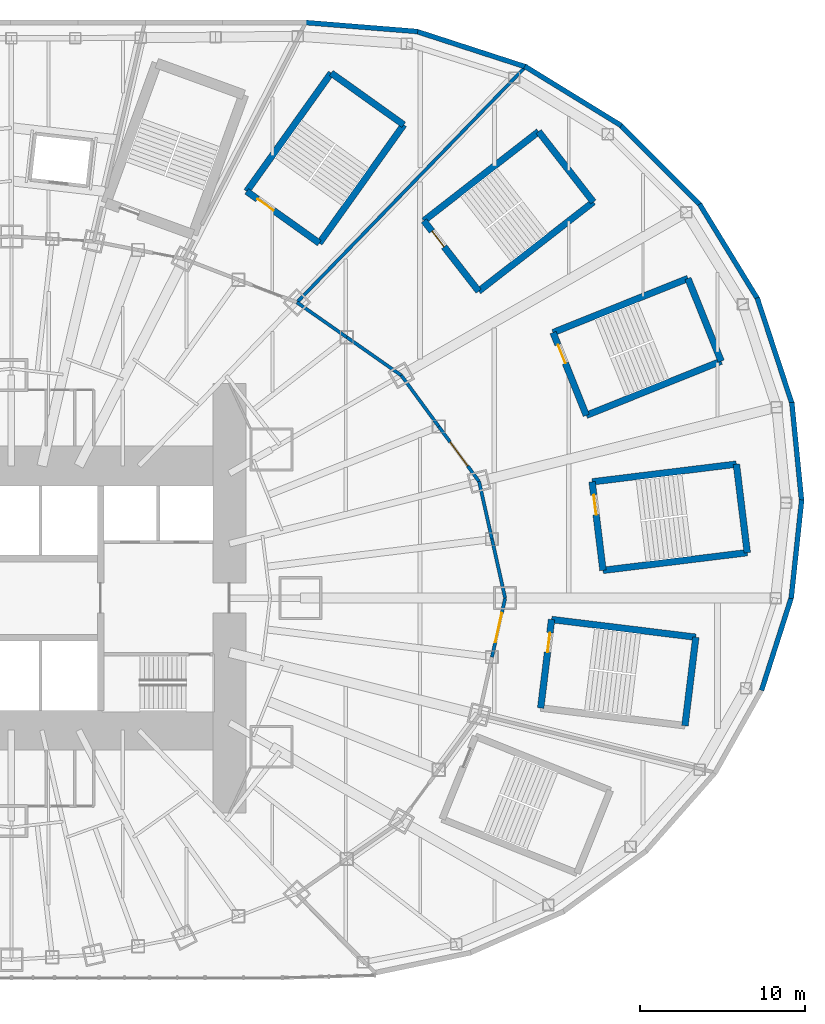
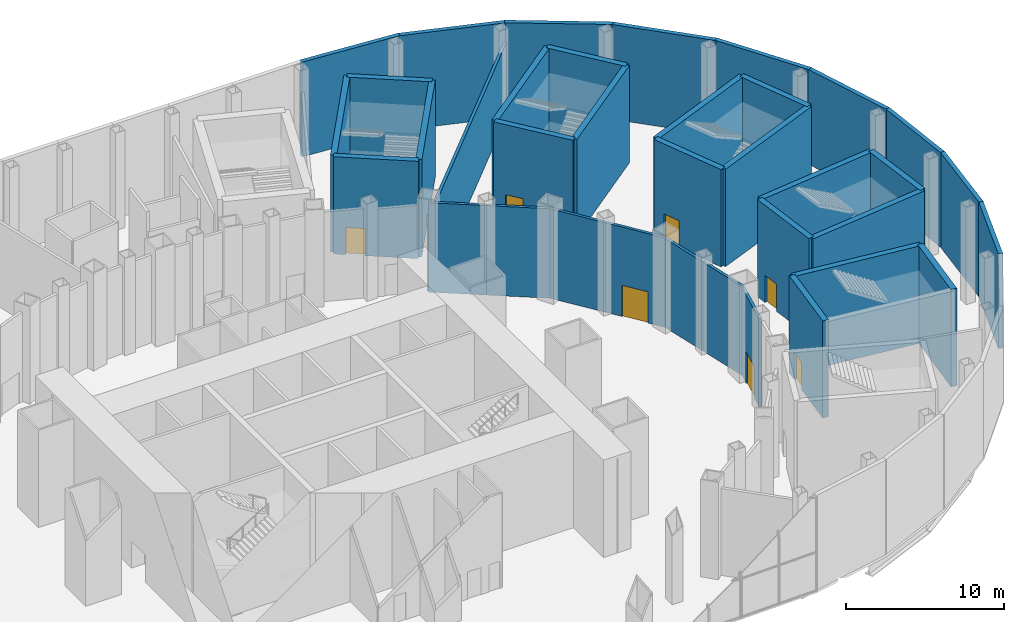
# One storey, part 17 of 73: 36 walls, 7 doors, 7 openings.
"""IFC4 building model written with IfcOpenShell, lengths in metres."""

from ifc_helpers import new_model, si_unit, direction, frame, frame_2d, origin, place, context, subcontext, project, spatial, rectangle, extrude, material, layer, layer_set, type_object, element, fill, save


model = new_model("IFC4")

# Units and contexts
model_context = context("Model", 3, precision=1e-05, world=origin(), true_north=direction((0.0, 1.0)))
body_context = subcontext(model_context, "Body", "Model", "MODEL_VIEW")
ifc_project = project(units=[si_unit("LENGTHUNIT", "METRE"), si_unit("AREAUNIT", "SQUARE_METRE"), si_unit("VOLUMEUNIT", "CUBIC_METRE"), si_unit("PLANEANGLEUNIT", "RADIAN"), si_unit("MASSUNIT", "GRAM", prefix="KILO")], contexts=[model_context])

# Site, building, storey
site_placement = place(None, origin())
site = spatial("IfcSite", under=ifc_project, at=site_placement, CompositionType="ELEMENT")
building_placement = place(site_placement, origin())
building = spatial("IfcBuilding", under=site, at=building_placement, Name="Lantaw Convention Tower", CompositionType="ELEMENT")
storey_placement = place(building_placement, frame((0.0, 0.0, 14.5)))
storey = spatial("IfcBuildingStorey", under=building, at=storey_placement, Name="L02", CompositionType="ELEMENT", Elevation=14.5)

# Walls
ifc_material_1 = material(Name="Precast concrete panel, pale aluminium rainscreen", Category="concrete")
ifc_layer_1 = layer(ifc_material_1, 0.300048828125)
ifc_layer_set_1 = layer_set([ifc_layer_1], Name="Podium external wall 300")
wall_type_1 = type_object("IfcWallType", Name="Podium external wall 300", PredefinedType="SOLIDWALL", material=ifc_layer_set_1)
wall_1_placement = place(storey_placement, frame((47.21923828125, -0.02392578125, 0.0), z_axis=(0.0, 0.0, 1.0), x_axis=(0.105835648981, 0.99438363593, 0.0)))
element("IfcWall", 1, at=wall_1_placement, inside=storey, type_object=wall_type_1, Name="Podium facade wall", PredefinedType="SOLIDWALL", context=body_context, shape_type="SweptSolid", body=[
    extrude(rectangle(XDim=6.0068359375, YDim=0.300048828125, at=frame_2d((3.00341796875, 0.0))), origin(), (0.0, 0.0, 1.0), 7.300048828125),
])
wall_2_placement = place(storey_placement, frame((47.8544921875, 5.8388671875, 0.0), z_axis=(0.0, 0.0, 1.0), x_axis=(-0.099051198898, 0.9950823383, 0.0)))
element("IfcWall", 2, at=wall_2_placement, inside=storey, type_object=wall_type_1, Name="Podium facade wall", PredefinedType="SOLIDWALL", context=body_context, shape_type="SweptSolid", body=[
    extrude(rectangle(XDim=6.036376953125, YDim=0.300048828125, at=frame_2d((3.01806640625, 0.0))), origin(), (0.0, 0.0, 1.0), 7.300048828125),
])
wall_3_placement = place(storey_placement, frame((47.27978515625, 11.735595703125, 0.0), z_axis=(0.0, 0.0, 1.0), x_axis=(-0.31263149373, 0.94987449125, 0.0)))
element("IfcWall", 3, at=wall_3_placement, inside=storey, type_object=wall_type_1, Name="Podium facade wall", PredefinedType="SOLIDWALL", context=body_context, shape_type="SweptSolid", body=[
    extrude(rectangle(XDim=6.7861328125, YDim=0.300048828125, at=frame_2d((3.39306640625, 0.0))), origin(), (0.0, 0.0, 1.0), 7.300048828125),
])
wall_4_placement = place(storey_placement, frame((45.206298828125, 18.078125, 0.0), z_axis=(0.0, 0.0, 1.0), x_axis=(-0.52225340952, 0.852790347181, 0.0)))
element("IfcWall", 4, at=wall_4_placement, inside=storey, type_object=wall_type_1, Name="Podium facade wall", PredefinedType="SOLIDWALL", context=body_context, shape_type="SweptSolid", body=[
    extrude(rectangle(XDim=6.77099609375, YDim=0.300048828125, at=frame_2d((3.385498046875, 0.0))), origin(), (0.0, 0.0, 1.0), 7.300048828125),
])
wall_5_placement = place(storey_placement, frame((41.740966796875, 23.762451171875, 0.0), z_axis=(0.0, 0.0, 1.0), x_axis=(-0.705874614645, 0.708336804352, 0.0)))
element("IfcWall", 5, at=wall_5_placement, inside=storey, type_object=wall_type_1, Name="Podium facade wall", PredefinedType="SOLIDWALL", context=body_context, shape_type="SweptSolid", body=[
    extrude(rectangle(XDim=6.94091796875, YDim=0.300048828125, at=frame_2d((3.470458984375, 0.0))), origin(), (0.0, 0.0, 1.0), 7.300048828125),
])
wall_6_placement = place(storey_placement, frame((36.931640625, 28.60791015625, 0.0), z_axis=(0.0, 0.0, 1.0), x_axis=(-0.851808565246, 0.52385319334, 0.0)))
element("IfcWall", 6, at=wall_6_placement, inside=storey, type_object=wall_type_1, Name="Podium facade wall", PredefinedType="SOLIDWALL", context=body_context, shape_type="SweptSolid", body=[
    extrude(rectangle(XDim=6.860595703125, YDim=0.300048828125, at=frame_2d((3.43017578125, 0.0))), origin(), (0.0, 0.0, 1.0), 7.300048828125),
])
wall_7_placement = place(storey_placement, frame((31.19189453125, 32.15380859375, 0.0), z_axis=(0.0, 0.0, 1.0), x_axis=(-0.951140010357, 0.308759907853, 0.0)))
element("IfcWall", 7, at=wall_7_placement, inside=storey, type_object=wall_type_1, Name="Podium facade wall", PredefinedType="SOLIDWALL", context=body_context, shape_type="SweptSolid", body=[
    extrude(rectangle(XDim=7.041259765625, YDim=0.300048828125, at=frame_2d((3.5205078125, 0.0))), origin(), (0.0, 0.0, 1.0), 7.300048828125),
])
wall_8_placement = place(storey_placement, frame((24.606689453125, 34.3056640625, 0.0), z_axis=(0.0, 0.0, 1.0), x_axis=(-0.996791084449, 0.080047073422, 0.0)))
element("IfcWall", 8, at=wall_8_placement, inside=storey, type_object=wall_type_1, Name="Podium facade wall", PredefinedType="SOLIDWALL", context=body_context, shape_type="SweptSolid", body=[
    extrude(rectangle(XDim=6.84716796875, YDim=0.300048828125, at=frame_2d((3.423583984375, 0.0))), origin(), (0.0, 0.0, 1.0), 7.300048828125),
])
wall_9_placement = place(storey_placement, frame((45.42529296875, -5.5888671875, 0.0), z_axis=(0.0, 0.0, 1.0), x_axis=(0.304991367091, 0.95235511549, 0.0)))
element("IfcWall", 9, at=wall_9_placement, inside=storey, type_object=wall_type_1, Name="Podium facade wall", PredefinedType="SOLIDWALL", context=body_context, shape_type="SweptSolid", body=[
    extrude(rectangle(XDim=5.956298828125, YDim=0.300048828125, at=frame_2d((2.97802734375, 0.0))), origin(), (0.0, 0.0, 1.0), 7.300048828125),
])
ifc_material_2 = material(Name="Concrete blockwork", Category="masonry")
ifc_layer_2 = layer(ifc_material_2, 0.199951171875)
ifc_layer_set_2 = layer_set([ifc_layer_2], Name="Podium partition 200")
wall_type_2 = type_object("IfcWallType", Name="Podium partition 200", PredefinedType="SOLIDWALL", material=ifc_layer_set_2)
wall_10_placement = place(storey_placement, frame((29.89990234375, 0.0, 0.0), z_axis=(0.0, 0.0, 1.0), x_axis=(-0.218631550323, 0.975807483679, 0.0)))
element("IfcWall", 10, at=wall_10_placement, inside=storey, type_object=wall_type_2, Name="Podium partition 200", PredefinedType="SOLIDWALL", context=body_context, shape_type="SweptSolid", body=[
    extrude(rectangle(XDim=3.66162109375, YDim=0.199951171875, at=frame_2d((1.830810546875, 0.0))), origin(), (0.0, 0.0, 1.0), 6.850341796875),
])
wall_11_placement = place(storey_placement, frame((29.099365234375, 3.572998046875, 0.0), z_axis=(0.0, 0.0, 1.0), x_axis=(-0.218673326171, 0.97579812278, 0.0)))
element("IfcWall", 11, at=wall_11_placement, inside=storey, type_object=wall_type_2, Name="Podium partition 200", PredefinedType="SOLIDWALL", context=body_context, shape_type="SweptSolid", body=[
    extrude(rectangle(XDim=3.57373046875, YDim=0.199951171875, at=frame_2d((1.786865234375, 0.0))), origin(), (0.0, 0.0, 1.0), 6.850341796875),
])

# Wall, opening, door
wall_12_placement = place(storey_placement, frame((28.31787109375, 7.060302734375, 0.0), z_axis=(0.0, 0.0, 1.0), x_axis=(-0.591255937291, 0.806483984105, 0.0)))
wall_12 = element("IfcWall", 12, at=wall_12_placement, inside=storey, type_object=wall_type_2, Name="Podium partition 200", PredefinedType="SOLIDWALL", context=body_context, shape_type="SweptSolid", body=[
    extrude(rectangle(XDim=4.126708984375, YDim=0.199951171875, at=frame_2d((2.0634765625, 0.0))), origin(), (0.0, 0.0, 1.0), 6.896240234375),
])
opening_1_placement = place(wall_12_placement, frame((1.163330078125, 0.0, 0.0)))
opening_1 = element("IfcOpeningElement", 13, at=opening_1_placement, cuts=wall_12, Name="Opening L02.12", PredefinedType="OPENING", context=body_context, shape_type="SweptSolid", body=[
    extrude(rectangle(XDim=1.800048828125, YDim=2.39990234375, at=frame_2d((0.89990234375, 1.199951171875))), frame((0.0, 0.10986328125, 0.0), z_axis=(0.0, -1.0, 0.0), x_axis=(1.0, 0.0, 0.0)), (0.0, 0.0, 1.0), 0.219970703125),
])
ifc_material_3 = material(Name="Timber", Category="wood")
door_type_1 = type_object("IfcDoorType", Name="Hall double door 1800", OperationType="DOUBLE_DOOR_DOUBLE_SWING", PredefinedType="DOOR", material=ifc_material_3)
door_1_placement = place(opening_1_placement, origin())
door_1 = element("IfcDoor", 14, at=door_1_placement, inside=storey, type_object=door_type_1, Name="Grand ballroom door", OperationType="DOUBLE_DOOR_DOUBLE_SWING", OverallHeight=2.39990234375, OverallWidth=1.800048828125, PredefinedType="DOOR", context=body_context, shape_type="SweptSolid", body=[
    extrude(rectangle(XDim=1.800048828125, YDim=2.39990234375, at=frame_2d((0.89990234375, 1.199951171875))), frame((0.0, 0.02490234375, 0.0), z_axis=(0.0, -1.0, 0.0), x_axis=(1.0, 0.0, 0.0)), (0.0, 0.0, 1.0), 0.050048828125),
])
fill(opening_1, door_1)

# Walls
wall_13_placement = place(storey_placement, frame((25.8779296875, 10.388427734375, 0.0), z_axis=(0.0, 0.0, 1.0), x_axis=(-0.591286566758, 0.806461527893, 0.0)))
element("IfcWall", 15, at=wall_13_placement, inside=storey, type_object=wall_type_2, Name="Podium partition 200", PredefinedType="SOLIDWALL", context=body_context, shape_type="SweptSolid", body=[
    extrude(rectangle(XDim=3.843994140625, YDim=0.199951171875, at=frame_2d((1.921875, 0.0))), origin(), (0.0, 0.0, 1.0), 6.896240234375),
])
wall_14_placement = place(storey_placement, frame((23.60498046875, 13.488525390625, 0.0), z_axis=(0.0, 0.0, 1.0), x_axis=(-0.819442856133, 0.573160889744, 0.0)))
element("IfcWall", 16, at=wall_14_placement, inside=storey, type_object=wall_type_2, Name="Podium partition 200", PredefinedType="SOLIDWALL", context=body_context, shape_type="SweptSolid", body=[
    extrude(rectangle(XDim=4.022705078125, YDim=0.199951171875, at=frame_2d((2.01123046875, 0.0))), origin(), (0.0, 0.0, 1.0), 6.896240234375),
])
wall_15_placement = place(storey_placement, frame((20.30859375, 15.794189453125, 0.0), z_axis=(0.0, 0.0, 1.0), x_axis=(-0.819409395821, 0.573208724672, 0.0)))
element("IfcWall", 17, at=wall_15_placement, inside=storey, type_object=wall_type_2, Name="Podium partition 200", PredefinedType="SOLIDWALL", context=body_context, shape_type="SweptSolid", body=[
    extrude(rectangle(XDim=3.682861328125, YDim=0.199951171875, at=frame_2d((1.84130859375, 0.0))), origin(), (0.0, 0.0, 1.0), 6.896240234375),
])

# Wall, opening, door
wall_16_placement = place(storey_placement, frame((29.099365234375, -3.572998046875, 0.0), z_axis=(0.0, 0.0, 1.0), x_axis=(0.218631550323, 0.975807483679, 0.0)))
wall_16 = element("IfcWall", 18, at=wall_16_placement, inside=storey, type_object=wall_type_2, Name="Podium partition 200", PredefinedType="SOLIDWALL", context=body_context, shape_type="SweptSolid", body=[
    extrude(rectangle(XDim=3.66162109375, YDim=0.199951171875, at=frame_2d((1.830810546875, 0.0))), origin(), (0.0, 0.0, 1.0), 6.771728515625),
])
opening_2_placement = place(wall_16_placement, frame((0.930908203125, 0.0, 0.0)))
opening_2 = element("IfcOpeningElement", 19, at=opening_2_placement, cuts=wall_16, Name="Opening L02.13", PredefinedType="OPENING", context=body_context, shape_type="SweptSolid", body=[
    extrude(rectangle(XDim=1.800048828125, YDim=2.39990234375, at=frame_2d((0.89990234375, 1.199951171875))), frame((0.0, 0.10986328125, 0.0), z_axis=(0.0, -1.0, 0.0), x_axis=(1.0, 0.0, 0.0)), (0.0, 0.0, 1.0), 0.219970703125),
])
door_2_placement = place(opening_2_placement, origin())
door_2 = element("IfcDoor", 20, at=door_2_placement, inside=storey, type_object=door_type_1, Name="Grand ballroom door", OperationType="DOUBLE_DOOR_DOUBLE_SWING", OverallHeight=2.39990234375, OverallWidth=1.800048828125, PredefinedType="DOOR", context=body_context, shape_type="SweptSolid", body=[
    extrude(rectangle(XDim=1.800048828125, YDim=2.39990234375, at=frame_2d((0.89990234375, 1.199951171875))), frame((0.0, 0.02490234375, 0.0), z_axis=(0.0, -1.0, 0.0), x_axis=(1.0, 0.0, 0.0)), (0.0, 0.0, 1.0), 0.050048828125),
])
fill(opening_2, door_2)

# Walls
wall_17_placement = place(storey_placement, frame((17.290771484375, 17.9052734375, 0.0), z_axis=(0.0, 0.0, 1.0), x_axis=(0.696460684513, 0.717594951855, 0.0)))
element("IfcWall", 21, at=wall_17_placement, inside=storey, type_object=wall_type_2, Name="Podium partition 200", PredefinedType="SOLIDWALL", context=body_context, shape_type="SweptSolid", body=[
    extrude(rectangle(XDim=19.880859375, YDim=0.199951171875, at=frame_2d((9.9404296875, 0.0))), origin(), (0.0, 0.0, 1.0), 5.800048828125),
])
ifc_material_4 = material(Name="Concrete C40/50, stair core", Category="concrete")
ifc_layer_3 = layer(ifc_material_4, 0.39990234375)
ifc_layer_set_3 = layer_set([ifc_layer_3], Name="Stair enclosure wall 400 EI 120")
wall_type_3 = type_object("IfcWallType", Name="Stair enclosure wall 400 EI 120", PredefinedType="SHEAR", material=ifc_layer_set_3)
wall_18_placement = place(storey_placement, frame((35.82275390625, 1.67822265625, 0.0), z_axis=(0.0, 0.0, 1.0), x_axis=(0.992545280606, 0.121876437212, 0.0)))
element("IfcWall", 22, at=wall_18_placement, inside=storey, type_object=wall_type_3, Name="Stair enclosure wall", PredefinedType="SHEAR", context=body_context, shape_type="SweptSolid", body=[
    extrude(rectangle(XDim=8.800048828125, YDim=0.39990234375, at=frame_2d((4.39990234375, 0.0))), origin(), (0.0, 0.0, 1.0), 7.5),
])
wall_19_placement = place(storey_placement, frame((44.55712890625, 2.750732421875, 0.0), z_axis=(0.0, 0.0, 1.0), x_axis=(-0.12184754212, 0.99254882826, 0.0)))
element("IfcWall", 23, at=wall_19_placement, inside=storey, type_object=wall_type_3, Name="Stair enclosure wall", PredefinedType="SHEAR", context=body_context, shape_type="SweptSolid", body=[
    extrude(rectangle(XDim=5.39990234375, YDim=0.39990234375, at=frame_2d((2.699951171875, 0.0))), origin(), (0.0, 0.0, 1.0), 7.5),
])
wall_20_placement = place(storey_placement, frame((43.899169921875, 8.1103515625, 0.0), z_axis=(0.0, 0.0, 1.0), x_axis=(-0.992545280606, -0.121876437212, 0.0)))
element("IfcWall", 24, at=wall_20_placement, inside=storey, type_object=wall_type_3, Name="Stair enclosure wall", PredefinedType="SHEAR", context=body_context, shape_type="SweptSolid", body=[
    extrude(rectangle(XDim=8.800048828125, YDim=0.39990234375, at=frame_2d((4.39990234375, 0.0))), origin(), (0.0, 0.0, 1.0), 7.5),
])

# Wall, opening, door
wall_21_placement = place(storey_placement, frame((35.164794921875, 7.037841796875, 0.0), z_axis=(0.0, 0.0, 1.0), x_axis=(0.12184754212, -0.99254882826, 0.0)))
wall_21 = element("IfcWall", 25, at=wall_21_placement, inside=storey, type_object=wall_type_3, Name="Stair enclosure wall", PredefinedType="SHEAR", context=body_context, shape_type="SweptSolid", body=[
    extrude(rectangle(XDim=5.39990234375, YDim=0.39990234375, at=frame_2d((2.699951171875, 0.0))), origin(), (0.0, 0.0, 1.0), 7.5),
])
opening_3_placement = place(wall_21_placement, frame((0.800048828125, 0.0, 0.0)))
opening_3 = element("IfcOpeningElement", 26, at=opening_3_placement, cuts=wall_21, Name="Opening L02.P1", PredefinedType="OPENING", context=body_context, shape_type="SweptSolid", body=[
    extrude(rectangle(XDim=1.199951171875, YDim=2.10009765625, at=frame_2d((0.60009765625, 1.050048828125))), frame((0.0, 0.2099609375, 0.0), z_axis=(0.0, -1.0, 0.0), x_axis=(1.0, 0.0, 0.0)), (0.0, 0.0, 1.0), 0.419921875),
])
ifc_material_5 = material(Name="Steel, fire rated", Category="steel")
door_type_2 = type_object("IfcDoorType", Name="Stair door FD90", OperationType="SINGLE_SWING_RIGHT", PredefinedType="DOOR", material=ifc_material_5)
door_3_placement = place(opening_3_placement, origin())
door_3 = element("IfcDoor", 27, at=door_3_placement, inside=storey, type_object=door_type_2, Name="Exit stair door", OperationType="SINGLE_SWING_RIGHT", OverallHeight=2.10009765625, OverallWidth=1.199951171875, PredefinedType="DOOR", context=body_context, shape_type="SweptSolid", body=[
    extrude(rectangle(XDim=1.199951171875, YDim=2.10009765625, at=frame_2d((0.60009765625, 1.050048828125))), frame((0.0, 0.02490234375, 0.0), z_axis=(0.0, -1.0, 0.0), x_axis=(1.0, 0.0, 0.0)), (0.0, 0.0, 1.0), 0.050048828125),
])
fill(opening_3, door_3)

# Walls
wall_22_placement = place(storey_placement, frame((34.811767578125, 11.0654296875, 0.0), z_axis=(0.0, 0.0, 1.0), x_axis=(0.92801678004, 0.372538395288, 0.0)))
element("IfcWall", 28, at=wall_22_placement, inside=storey, type_object=wall_type_3, Name="Stair enclosure wall", PredefinedType="SHEAR", context=body_context, shape_type="SweptSolid", body=[
    extrude(rectangle(XDim=8.800048828125, YDim=0.39990234375, at=frame_2d((4.39990234375, 0.0))), origin(), (0.0, 0.0, 1.0), 7.5),
])
wall_23_placement = place(storey_placement, frame((42.978271484375, 14.34375, 0.0), z_axis=(0.0, 0.0, 1.0), x_axis=(-0.372544066459, 0.928014503414, 0.0)))
element("IfcWall", 29, at=wall_23_placement, inside=storey, type_object=wall_type_3, Name="Stair enclosure wall", PredefinedType="SHEAR", context=body_context, shape_type="SweptSolid", body=[
    extrude(rectangle(XDim=5.39990234375, YDim=0.39990234375, at=frame_2d((2.699951171875, 0.0))), origin(), (0.0, 0.0, 1.0), 7.5),
])
wall_24_placement = place(storey_placement, frame((40.966552734375, 19.35498046875, 0.0), z_axis=(0.0, 0.0, 1.0), x_axis=(-0.92801678004, -0.372538395288, 0.0)))
element("IfcWall", 30, at=wall_24_placement, inside=storey, type_object=wall_type_3, Name="Stair enclosure wall", PredefinedType="SHEAR", context=body_context, shape_type="SweptSolid", body=[
    extrude(rectangle(XDim=8.800048828125, YDim=0.39990234375, at=frame_2d((4.39990234375, 0.0))), origin(), (0.0, 0.0, 1.0), 7.5),
])

# Wall, opening, door
wall_25_placement = place(storey_placement, frame((32.800048828125, 16.07666015625, 0.0), z_axis=(0.0, 0.0, 1.0), x_axis=(0.372544066459, -0.928014503414, 0.0)))
wall_25 = element("IfcWall", 31, at=wall_25_placement, inside=storey, type_object=wall_type_3, Name="Stair enclosure wall", PredefinedType="SHEAR", context=body_context, shape_type="SweptSolid", body=[
    extrude(rectangle(XDim=5.39990234375, YDim=0.39990234375, at=frame_2d((2.699951171875, 0.0))), origin(), (0.0, 0.0, 1.0), 7.5),
])
opening_4_placement = place(wall_25_placement, frame((0.800048828125, 0.0, 0.0)))
opening_4 = element("IfcOpeningElement", 32, at=opening_4_placement, cuts=wall_25, Name="Opening L02.P2", PredefinedType="OPENING", context=body_context, shape_type="SweptSolid", body=[
    extrude(rectangle(XDim=1.199951171875, YDim=2.10009765625, at=frame_2d((0.60009765625, 1.050048828125))), frame((0.0, 0.2099609375, 0.0), z_axis=(0.0, -1.0, 0.0), x_axis=(1.0, 0.0, 0.0)), (0.0, 0.0, 1.0), 0.419921875),
])
door_4_placement = place(opening_4_placement, origin())
door_4 = element("IfcDoor", 33, at=door_4_placement, inside=storey, type_object=door_type_2, Name="Exit stair door", OperationType="SINGLE_SWING_RIGHT", OverallHeight=2.10009765625, OverallWidth=1.199951171875, PredefinedType="DOOR", context=body_context, shape_type="SweptSolid", body=[
    extrude(rectangle(XDim=1.199951171875, YDim=2.10009765625, at=frame_2d((0.60009765625, 1.050048828125))), frame((0.0, 0.02490234375, 0.0), z_axis=(0.0, -1.0, 0.0), x_axis=(1.0, 0.0, 0.0)), (0.0, 0.0, 1.0), 0.050048828125),
])
fill(opening_4, door_4)

# Walls
wall_26_placement = place(storey_placement, frame((28.292724609375, 18.5830078125, 0.0), z_axis=(0.0, 0.0, 1.0), x_axis=(0.78938060008, 0.613904119726, 0.0)))
element("IfcWall", 34, at=wall_26_placement, inside=storey, type_object=wall_type_3, Name="Stair enclosure wall", PredefinedType="SHEAR", context=body_context, shape_type="SweptSolid", body=[
    extrude(rectangle(XDim=8.800048828125, YDim=0.39990234375, at=frame_2d((4.39990234375, 0.0))), origin(), (0.0, 0.0, 1.0), 7.5),
])
wall_27_placement = place(storey_placement, frame((35.2392578125, 23.9853515625, 0.0), z_axis=(0.0, 0.0, 1.0), x_axis=(-0.613912443548, 0.789374126544, 0.0)))
element("IfcWall", 35, at=wall_27_placement, inside=storey, type_object=wall_type_3, Name="Stair enclosure wall", PredefinedType="SHEAR", context=body_context, shape_type="SweptSolid", body=[
    extrude(rectangle(XDim=5.400146484375, YDim=0.39990234375, at=frame_2d((2.7001953125, 0.0))), origin(), (0.0, 0.0, 1.0), 7.5),
])
wall_28_placement = place(storey_placement, frame((31.924072265625, 28.248046875, 0.0), z_axis=(0.0, 0.0, 1.0), x_axis=(-0.78938060008, -0.613904119726, 0.0)))
element("IfcWall", 36, at=wall_28_placement, inside=storey, type_object=wall_type_3, Name="Stair enclosure wall", PredefinedType="SHEAR", context=body_context, shape_type="SweptSolid", body=[
    extrude(rectangle(XDim=8.800048828125, YDim=0.39990234375, at=frame_2d((4.39990234375, 0.0))), origin(), (0.0, 0.0, 1.0), 7.5),
])

# Wall, opening, door
wall_29_placement = place(storey_placement, frame((24.9775390625, 22.845703125, 0.0), z_axis=(0.0, 0.0, 1.0), x_axis=(0.613912443548, -0.789374126544, 0.0)))
wall_29 = element("IfcWall", 37, at=wall_29_placement, inside=storey, type_object=wall_type_3, Name="Stair enclosure wall", PredefinedType="SHEAR", context=body_context, shape_type="SweptSolid", body=[
    extrude(rectangle(XDim=5.400146484375, YDim=0.39990234375, at=frame_2d((2.7001953125, 0.0))), origin(), (0.0, 0.0, 1.0), 7.5),
])
opening_5_placement = place(wall_29_placement, frame((0.800048828125, 0.0, 0.0)))
opening_5 = element("IfcOpeningElement", 38, at=opening_5_placement, cuts=wall_29, Name="Opening L02.P3", PredefinedType="OPENING", context=body_context, shape_type="SweptSolid", body=[
    extrude(rectangle(XDim=1.199951171875, YDim=2.10009765625, at=frame_2d((0.60009765625, 1.050048828125))), frame((0.0, 0.2099609375, 0.0), z_axis=(0.0, -1.0, 0.0), x_axis=(1.0, 0.0, 0.0)), (0.0, 0.0, 1.0), 0.419921875),
])
door_5_placement = place(opening_5_placement, origin())
door_5 = element("IfcDoor", 39, at=door_5_placement, inside=storey, type_object=door_type_2, Name="Exit stair door", OperationType="SINGLE_SWING_RIGHT", OverallHeight=2.10009765625, OverallWidth=1.199951171875, PredefinedType="DOOR", context=body_context, shape_type="SweptSolid", body=[
    extrude(rectangle(XDim=1.199951171875, YDim=2.10009765625, at=frame_2d((0.60009765625, 1.050048828125))), frame((0.0, 0.02490234375, 0.0), z_axis=(0.0, -1.0, 0.0), x_axis=(1.0, 0.0, 0.0)), (0.0, 0.0, 1.0), 0.050048828125),
])
fill(opening_5, door_5)

# Walls
wall_30_placement = place(storey_placement, frame((18.647216796875, 21.492919921875, 0.0), z_axis=(0.0, 0.0, 1.0), x_axis=(0.580705313356, 0.814113836659, 0.0)))
element("IfcWall", 40, at=wall_30_placement, inside=storey, type_object=wall_type_3, Name="Stair enclosure wall", PredefinedType="SHEAR", context=body_context, shape_type="SweptSolid", body=[
    extrude(rectangle(XDim=8.7998046875, YDim=0.39990234375, at=frame_2d((4.39990234375, 0.0))), origin(), (0.0, 0.0, 1.0), 7.5),
])
wall_31_placement = place(storey_placement, frame((23.75732421875, 28.656982421875, 0.0), z_axis=(0.0, 0.0, 1.0), x_axis=(-0.814121252423, 0.580694916762, 0.0)))
element("IfcWall", 41, at=wall_31_placement, inside=storey, type_object=wall_type_3, Name="Stair enclosure wall", PredefinedType="SHEAR", context=body_context, shape_type="SweptSolid", body=[
    extrude(rectangle(XDim=5.39990234375, YDim=0.39990234375, at=frame_2d((2.699951171875, 0.0))), origin(), (0.0, 0.0, 1.0), 7.5),
])
wall_32_placement = place(storey_placement, frame((19.361083984375, 31.792724609375, 0.0), z_axis=(0.0, 0.0, 1.0), x_axis=(-0.580705313356, -0.814113836659, 0.0)))
element("IfcWall", 42, at=wall_32_placement, inside=storey, type_object=wall_type_3, Name="Stair enclosure wall", PredefinedType="SHEAR", context=body_context, shape_type="SweptSolid", body=[
    extrude(rectangle(XDim=8.7998046875, YDim=0.39990234375, at=frame_2d((4.39990234375, 0.0))), origin(), (0.0, 0.0, 1.0), 7.5),
])

# Wall, opening, door
wall_33_placement = place(storey_placement, frame((14.2509765625, 24.628662109375, 0.0), z_axis=(0.0, 0.0, 1.0), x_axis=(0.814121252423, -0.580694916762, 0.0)))
wall_33 = element("IfcWall", 43, at=wall_33_placement, inside=storey, type_object=wall_type_3, Name="Stair enclosure wall", PredefinedType="SHEAR", context=body_context, shape_type="SweptSolid", body=[
    extrude(rectangle(XDim=5.39990234375, YDim=0.39990234375, at=frame_2d((2.699951171875, 0.0))), origin(), (0.0, 0.0, 1.0), 7.5),
])
opening_6_placement = place(wall_33_placement, frame((0.800048828125, 0.0, 0.0)))
opening_6 = element("IfcOpeningElement", 44, at=opening_6_placement, cuts=wall_33, Name="Opening L02.P4", PredefinedType="OPENING", context=body_context, shape_type="SweptSolid", body=[
    extrude(rectangle(XDim=1.199951171875, YDim=2.10009765625, at=frame_2d((0.60009765625, 1.050048828125))), frame((0.0, 0.2099609375, 0.0), z_axis=(0.0, -1.0, 0.0), x_axis=(1.0, 0.0, 0.0)), (0.0, 0.0, 1.0), 0.419921875),
])
door_6_placement = place(opening_6_placement, origin())
door_6 = element("IfcDoor", 45, at=door_6_placement, inside=storey, type_object=door_type_2, Name="Exit stair door", OperationType="SINGLE_SWING_RIGHT", OverallHeight=2.10009765625, OverallWidth=1.199951171875, PredefinedType="DOOR", context=body_context, shape_type="SweptSolid", body=[
    extrude(rectangle(XDim=1.199951171875, YDim=2.10009765625, at=frame_2d((0.60009765625, 1.050048828125))), frame((0.0, 0.02490234375, 0.0), z_axis=(0.0, -1.0, 0.0), x_axis=(1.0, 0.0, 0.0)), (0.0, 0.0, 1.0), 0.050048828125),
])
fill(opening_6, door_6)

# Walls
wall_34_placement = place(storey_placement, frame((40.784912109375, -7.72802734375, 0.0), z_axis=(0.0, 0.0, 1.0), x_axis=(0.121892082937, 0.992543359314, 0.0)))
element("IfcWall", 46, at=wall_34_placement, inside=storey, type_object=wall_type_3, Name="Stair enclosure wall", PredefinedType="SHEAR", context=body_context, shape_type="SweptSolid", body=[
    extrude(rectangle(XDim=5.39990234375, YDim=0.39990234375, at=frame_2d((2.699951171875, 0.0))), origin(), (0.0, 0.0, 1.0), 7.5),
])
wall_35_placement = place(storey_placement, frame((41.443115234375, -2.368408203125, 0.0), z_axis=(0.0, 0.0, 1.0), x_axis=(-0.992545692684, 0.121873081252, 0.0)))
element("IfcWall", 47, at=wall_35_placement, inside=storey, type_object=wall_type_3, Name="Stair enclosure wall", PredefinedType="SHEAR", context=body_context, shape_type="SweptSolid", body=[
    extrude(rectangle(XDim=8.80029296875, YDim=0.39990234375, at=frame_2d((4.400146484375, 0.0))), origin(), (0.0, 0.0, 1.0), 7.5),
])

# Wall, opening, door
wall_36_placement = place(storey_placement, frame((32.70849609375, -1.2958984375, 0.0), z_axis=(0.0, 0.0, 1.0), x_axis=(-0.12184754212, -0.99254882826, 0.0)))
wall_36 = element("IfcWall", 48, at=wall_36_placement, inside=storey, type_object=wall_type_3, Name="Stair enclosure wall", PredefinedType="SHEAR", context=body_context, shape_type="SweptSolid", body=[
    extrude(rectangle(XDim=5.39990234375, YDim=0.39990234375, at=frame_2d((2.699951171875, 0.0))), origin(), (0.0, 0.0, 1.0), 7.5),
])
opening_7_placement = place(wall_36_placement, frame((0.800048828125, 0.0, 0.0)))
opening_7 = element("IfcOpeningElement", 49, at=opening_7_placement, cuts=wall_36, Name="Opening L02.P13", PredefinedType="OPENING", context=body_context, shape_type="SweptSolid", body=[
    extrude(rectangle(XDim=1.199951171875, YDim=2.10009765625, at=frame_2d((0.60009765625, 1.050048828125))), frame((0.0, 0.2099609375, 0.0), z_axis=(0.0, -1.0, 0.0), x_axis=(1.0, 0.0, 0.0)), (0.0, 0.0, 1.0), 0.419921875),
])
door_7_placement = place(opening_7_placement, origin())
door_7 = element("IfcDoor", 50, at=door_7_placement, inside=storey, type_object=door_type_2, Name="Exit stair door", OperationType="SINGLE_SWING_RIGHT", OverallHeight=2.10009765625, OverallWidth=1.199951171875, PredefinedType="DOOR", context=body_context, shape_type="SweptSolid", body=[
    extrude(rectangle(XDim=1.199951171875, YDim=2.10009765625, at=frame_2d((0.60009765625, 1.050048828125))), frame((0.0, 0.02490234375, 0.0), z_axis=(0.0, -1.0, 0.0), x_axis=(1.0, 0.0, 0.0)), (0.0, 0.0, 1.0), 0.050048828125),
])
fill(opening_7, door_7)

save(model, "model.ifc")
